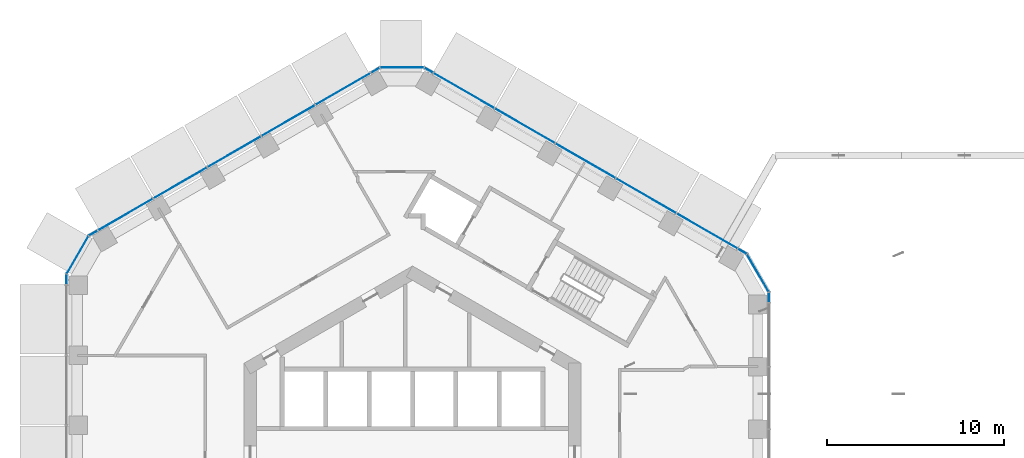
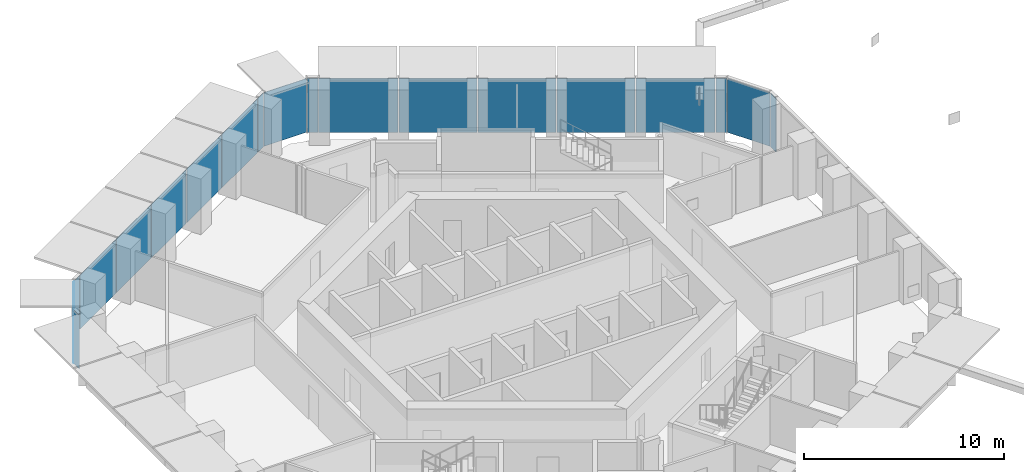
# One storey, part 12 of 21: 19 plates, 5 elements without a shape of their own.
"""IFC4 building model written with IfcOpenShell, lengths in metres."""

from ifc_helpers import new_model, si_unit, direction, frame, origin, origin_2d, place, context, subcontext, project, spatial, rectangle, extrude, material, layer, layer_set, type_object, element, aggregate, save


model = new_model("IFC4")

# Units and contexts
model_context = context("Model", 3, precision=1e-05, world=origin(), true_north=direction((0.0, 1.0)))
body_context = subcontext(model_context, "Body", "Model", "MODEL_VIEW")
ifc_project = project(units=[si_unit("LENGTHUNIT", "METRE"), si_unit("AREAUNIT", "SQUARE_METRE"), si_unit("VOLUMEUNIT", "CUBIC_METRE"), si_unit("PLANEANGLEUNIT", "RADIAN"), si_unit("MASSUNIT", "GRAM", prefix="KILO")], contexts=[model_context])

# Site, building, storey
site_placement = place(None, origin())
site = spatial("IfcSite", under=ifc_project, at=site_placement, CompositionType="ELEMENT")
building_placement = place(site_placement, origin())
building = spatial("IfcBuilding", under=site, at=building_placement, Name="Ayvan Gate Tower", CompositionType="ELEMENT")
storey_placement = place(building_placement, frame((0.0, 0.0, 117.10009765625)))
storey = spatial("IfcBuildingStorey", under=building, at=storey_placement, Name="L31", CompositionType="ELEMENT", Elevation=117.10009765625)

# Curtain wall, plates
ifc_material_1 = material(Name="Bronze anodised aluminium", Category="aluminium")
ifc_layer_1 = layer(ifc_material_1, 0.199951171875)
ifc_layer_set_1 = layer_set([ifc_layer_1], Name="Bronze anodised aluminium")
curtain_wall_type_1 = type_object("IfcCurtainWallType", Name="Stick curtain wall CW-1", PredefinedType="NOTDEFINED", material=ifc_layer_set_1)
curtain_wall_1_placement = place(storey_placement, origin())
curtain_wall_1 = element("IfcCurtainWall", 1, at=curtain_wall_1_placement, inside=storey, type_object=curtain_wall_type_1, Name="Stick curtain wall CW-1 L31", PredefinedType="NOTDEFINED")
ifc_material_2 = material(Name="Clear low-iron laminated glass", Category="glass")
ifc_layer_2 = layer(ifc_material_2, 0.028076171875)
ifc_layer_set_2 = layer_set([ifc_layer_2], Name="Clear low-iron laminated glass")
plate_type_1 = type_object("IfcPlateType", Name="Stick curtain wall CW-1 glass panel", PredefinedType="CURTAIN_PANEL", material=ifc_layer_set_2)
plate_1_placement = place(storey_placement, frame((-3.9091796875, 20.96484375, 0.0), z_axis=(0.0, 0.0, 1.0), x_axis=(-0.866025403784, -0.5, 0.0)))
plate_1 = element("IfcPlate", 2, at=plate_1_placement, type_object=plate_type_1, Name="CW-1 glass panel 1", PredefinedType="CURTAIN_PANEL", context=body_context, shape_type="SweptSolid", body=[
    extrude(rectangle(XDim=3.575927734375, YDim=0.028076171875, at=origin_2d()), origin(), (0.0, 0.0, 1.0), 3.280029296875),
])
plate_2_placement = place(storey_placement, frame((-7.00732421875, 19.176025390625, 0.0), z_axis=(0.0, 0.0, 1.0), x_axis=(-0.866025403784, -0.5, 0.0)))
plate_2 = element("IfcPlate", 3, at=plate_2_placement, type_object=plate_type_1, Name="CW-1 glass panel 2", PredefinedType="CURTAIN_PANEL", context=body_context, shape_type="SweptSolid", body=[
    extrude(rectangle(XDim=3.458984375, YDim=0.028076171875, at=origin_2d()), origin(), (0.0, 0.0, 1.0), 3.280029296875),
])
plate_3_placement = place(storey_placement, frame((-10.055419921875, 17.416259765625, 0.0), z_axis=(0.0, 0.0, 1.0), x_axis=(-0.866025403784, -0.5, 0.0)))
plate_3 = element("IfcPlate", 4, at=plate_3_placement, type_object=plate_type_1, Name="CW-1 glass panel 3", PredefinedType="CURTAIN_PANEL", context=body_context, shape_type="SweptSolid", body=[
    extrude(rectangle(XDim=3.4599609375, YDim=0.028076171875, at=origin_2d()), origin(), (0.0, 0.0, 1.0), 3.280029296875),
])
plate_4_placement = place(storey_placement, frame((-13.103271484375, 15.656494140625, 0.0), z_axis=(0.0, 0.0, 1.0), x_axis=(-0.866025403784, -0.5, 0.0)))
plate_4 = element("IfcPlate", 5, at=plate_4_placement, type_object=plate_type_1, Name="CW-1 glass panel 4", PredefinedType="CURTAIN_PANEL", context=body_context, shape_type="SweptSolid", body=[
    extrude(rectangle(XDim=3.458984375, YDim=0.028076171875, at=origin_2d()), origin(), (0.0, 0.0, 1.0), 3.280029296875),
])
plate_5_placement = place(storey_placement, frame((-16.201416015625, 13.86767578125, 0.0), z_axis=(0.0, 0.0, 1.0), x_axis=(-0.866025403784, -0.5, 0.0)))
plate_5 = element("IfcPlate", 6, at=plate_5_placement, type_object=plate_type_1, Name="CW-1 glass panel 5", PredefinedType="CURTAIN_PANEL", context=body_context, shape_type="SweptSolid", body=[
    extrude(rectangle(XDim=3.575927734375, YDim=0.028076171875, at=origin_2d()), origin(), (0.0, 0.0, 1.0), 3.280029296875),
])
aggregate(curtain_wall_1, [plate_1, plate_2, plate_3, plate_4, plate_5])

curtain_wall_2_placement = place(storey_placement, origin())
curtain_wall_2 = element("IfcCurtainWall", 7, at=curtain_wall_2_placement, inside=storey, type_object=curtain_wall_type_1, Name="Stick curtain wall CW-1 L31", PredefinedType="NOTDEFINED")
plate_6_placement = place(storey_placement, frame((13.180419921875, 14.926513671875, 0.0), z_axis=(0.0, 0.0, 1.0), x_axis=(-0.866025403784, 0.5, 0.0)))
plate_6 = element("IfcPlate", 8, at=plate_6_placement, type_object=plate_type_1, Name="CW-1 glass panel 2", PredefinedType="CURTAIN_PANEL", context=body_context, shape_type="SweptSolid", body=[
    extrude(rectangle(XDim=3.89111328125, YDim=0.028076171875, at=origin_2d()), origin(), (0.0, 0.0, 1.0), 3.280029296875),
])
plate_7_placement = place(storey_placement, frame((9.7587890625, 16.902099609375, 0.0), z_axis=(0.0, 0.0, 1.0), x_axis=(-0.866025403784, 0.5, 0.0)))
plate_7 = element("IfcPlate", 9, at=plate_7_placement, type_object=plate_type_1, Name="CW-1 glass panel 3", PredefinedType="CURTAIN_PANEL", context=body_context, shape_type="SweptSolid", body=[
    extrude(rectangle(XDim=3.89111328125, YDim=0.028076171875, at=origin_2d()), origin(), (0.0, 0.0, 1.0), 3.280029296875),
])
plate_8_placement = place(storey_placement, frame((6.336669921875, 18.8779296875, 0.0), z_axis=(0.0, 0.0, 1.0), x_axis=(-0.866025403784, 0.5, 0.0)))
plate_8 = element("IfcPlate", 10, at=plate_8_placement, type_object=plate_type_1, Name="CW-1 glass panel 4", PredefinedType="CURTAIN_PANEL", context=body_context, shape_type="SweptSolid", body=[
    extrude(rectangle(XDim=3.89208984375, YDim=0.028076171875, at=origin_2d()), origin(), (0.0, 0.0, 1.0), 3.280029296875),
])
plate_9_placement = place(storey_placement, frame((2.88671875, 20.869873046875, 0.0), z_axis=(0.0, 0.0, 1.0), x_axis=(-0.866025403784, 0.5, 0.0)))
plate_9 = element("IfcPlate", 11, at=plate_9_placement, type_object=plate_type_1, Name="CW-1 glass panel 5", PredefinedType="CURTAIN_PANEL", context=body_context, shape_type="SweptSolid", body=[
    extrude(rectangle(XDim=3.955810546875, YDim=0.028076171875, at=origin_2d()), origin(), (0.0, 0.0, 1.0), 3.280029296875),
])
ifc_material_3 = material(Name="Pale anodised aluminium composite panel", Category="aluminium")
ifc_layer_3 = layer(ifc_material_3, 0.028076171875)
ifc_layer_set_3 = layer_set([ifc_layer_3], Name="Pale anodised aluminium composite panel")
plate_type_2 = type_object("IfcPlateType", Name="Stick curtain wall CW-1 solid panel", PredefinedType="CURTAIN_PANEL", material=ifc_layer_set_3)
plate_10_placement = place(storey_placement, frame((16.63037109375, 12.934814453125, 0.0), z_axis=(0.0, 0.0, 1.0), x_axis=(-0.866025403784, 0.5, 0.0)))
plate_10 = element("IfcPlate", 12, at=plate_10_placement, type_object=plate_type_2, Name="CW-1 solid panel 1", PredefinedType="CURTAIN_PANEL", context=body_context, shape_type="SweptSolid", body=[
    extrude(rectangle(XDim=3.9560546875, YDim=0.028076171875, at=origin_2d()), origin(), (0.0, 0.0, 1.0), 3.280029296875),
])
aggregate(curtain_wall_2, [plate_10, plate_6, plate_7, plate_8, plate_9])

ifc_layer_4 = layer(ifc_material_1, 0.199951171875)
ifc_layer_set_4 = layer_set([ifc_layer_4], Name="Bronze anodised aluminium")
curtain_wall_type_2 = type_object("IfcCurtainWallType", Name="Stick curtain wall CW-6", PredefinedType="NOTDEFINED", material=ifc_layer_set_4)
curtain_wall_3_placement = place(storey_placement, origin())
curtain_wall_3 = element("IfcCurtainWall", 13, at=curtain_wall_3_placement, inside=storey, type_object=curtain_wall_type_2, Name="Stick curtain wall CW-6 L31", PredefinedType="NOTDEFINED")
ifc_layer_5 = layer(ifc_material_2, 0.028076171875)
ifc_layer_set_5 = layer_set([ifc_layer_5], Name="Clear low-iron laminated glass")
plate_type_3 = type_object("IfcPlateType", Name="Stick curtain wall CW-6 glass panel", PredefinedType="CURTAIN_PANEL", material=ifc_layer_set_5)
plate_11_placement = place(storey_placement, frame((-18.013916015625, 12.8212890625, 0.0), z_axis=(0.0, 0.0, 1.0), x_axis=(-0.866025403784, -0.5, 0.0)))
plate_11 = element("IfcPlate", 14, at=plate_11_placement, type_object=plate_type_3, Name="CW-6 glass panel 1", PredefinedType="CURTAIN_PANEL", context=body_context, shape_type="SweptSolid", body=[
    extrude(rectangle(XDim=0.550048828125, YDim=0.028076171875, at=origin_2d()), origin(), (0.0, 0.0, 1.0), 3.280029296875),
])
plate_12_placement = place(storey_placement, frame((-18.8955078125, 11.594482421875, 0.0), z_axis=(0.0, 0.0, 1.0), x_axis=(-0.5, -0.866025403784, 0.0)))
plate_12 = element("IfcPlate", 15, at=plate_12_placement, type_object=plate_type_3, Name="CW-6 glass panel 2", PredefinedType="CURTAIN_PANEL", context=body_context, shape_type="SweptSolid", body=[
    extrude(rectangle(XDim=2.4365234375, YDim=0.028076171875, at=origin_2d()), origin(), (0.0, 0.0, 1.0), 3.280029296875),
])
plate_13_placement = place(storey_placement, frame((-19.51708984375, 10.2177734375, 0.0), z_axis=(0.0, 0.0, 1.0), x_axis=(0.0, -1.0, 0.0)))
plate_13 = element("IfcPlate", 16, at=plate_13_placement, type_object=plate_type_3, Name="CW-6 glass panel 3", PredefinedType="CURTAIN_PANEL", context=body_context, shape_type="SweptSolid", body=[
    extrude(rectangle(XDim=0.550048828125, YDim=0.028076171875, at=origin_2d()), origin(), (0.0, 0.0, 1.0), 3.280029296875),
])
aggregate(curtain_wall_3, [plate_11, plate_12, plate_13])

curtain_wall_4_placement = place(storey_placement, origin())
curtain_wall_4 = element("IfcCurtainWall", 17, at=curtain_wall_4_placement, inside=storey, type_object=curtain_wall_type_2, Name="Stick curtain wall CW-6 L31", PredefinedType="NOTDEFINED")
plate_14_placement = place(storey_placement, frame((20.110595703125, 9.18994140625, 0.0), z_axis=(0.0, 0.0, 1.0), x_axis=(0.0, 1.0, 0.0)))
plate_14 = element("IfcPlate", 18, at=plate_14_placement, type_object=plate_type_3, Name="CW-6 glass panel 1", PredefinedType="CURTAIN_PANEL", context=body_context, shape_type="SweptSolid", body=[
    extrude(rectangle(XDim=0.550048828125, YDim=0.028076171875, at=origin_2d()), origin(), (0.0, 0.0, 1.0), 3.280029296875),
])
plate_15_placement = place(storey_placement, frame((19.489013671875, 10.566650390625, 0.0), z_axis=(0.0, 0.0, 1.0), x_axis=(-0.5, 0.866025403784, 0.0)))
plate_15 = element("IfcPlate", 19, at=plate_15_placement, type_object=plate_type_3, Name="CW-6 glass panel 2", PredefinedType="CURTAIN_PANEL", context=body_context, shape_type="SweptSolid", body=[
    extrude(rectangle(XDim=2.4365234375, YDim=0.028076171875, at=origin_2d()), origin(), (0.0, 0.0, 1.0), 3.280029296875),
])
plate_16_placement = place(storey_placement, frame((18.607421875, 11.79345703125, 0.0), z_axis=(0.0, 0.0, 1.0), x_axis=(-0.866025403784, 0.5, 0.0)))
plate_16 = element("IfcPlate", 20, at=plate_16_placement, type_object=plate_type_3, Name="CW-6 glass panel 3", PredefinedType="CURTAIN_PANEL", context=body_context, shape_type="SweptSolid", body=[
    extrude(rectangle(XDim=0.550048828125, YDim=0.028076171875, at=origin_2d()), origin(), (0.0, 0.0, 1.0), 3.280029296875),
])
aggregate(curtain_wall_4, [plate_14, plate_15, plate_16])

curtain_wall_5_placement = place(storey_placement, origin())
curtain_wall_5 = element("IfcCurtainWall", 21, at=curtain_wall_5_placement, inside=storey, type_object=curtain_wall_type_2, Name="Stick curtain wall CW-6 L31", PredefinedType="NOTDEFINED")
plate_17_placement = place(storey_placement, frame((0.90966796875, 22.01123046875, 0.0), z_axis=(0.0, 0.0, 1.0), x_axis=(-0.866025403784, 0.5, 0.0)))
plate_17 = element("IfcPlate", 22, at=plate_17_placement, type_object=plate_type_3, Name="CW-6 glass panel 1", PredefinedType="CURTAIN_PANEL", context=body_context, shape_type="SweptSolid", body=[
    extrude(rectangle(XDim=0.550048828125, YDim=0.028076171875, at=origin_2d()), origin(), (0.0, 0.0, 1.0), 3.280029296875),
])
plate_18_placement = place(storey_placement, frame((-0.593505859375, 22.1611328125, 0.0), z_axis=(0.0, 0.0, 1.0), x_axis=(-1.0, 0.0, 0.0)))
plate_18 = element("IfcPlate", 23, at=plate_18_placement, type_object=plate_type_3, Name="CW-6 glass panel 2", PredefinedType="CURTAIN_PANEL", context=body_context, shape_type="SweptSolid", body=[
    extrude(rectangle(XDim=2.4365234375, YDim=0.028076171875, at=origin_2d()), origin(), (0.0, 0.0, 1.0), 3.280029296875),
])
plate_19_placement = place(storey_placement, frame((-2.096435546875, 22.01123046875, 0.0), z_axis=(0.0, 0.0, 1.0), x_axis=(-0.866025403784, -0.5, 0.0)))
plate_19 = element("IfcPlate", 24, at=plate_19_placement, type_object=plate_type_3, Name="CW-6 glass panel 3", PredefinedType="CURTAIN_PANEL", context=body_context, shape_type="SweptSolid", body=[
    extrude(rectangle(XDim=0.550048828125, YDim=0.028076171875, at=origin_2d()), origin(), (0.0, 0.0, 1.0), 3.280029296875),
])
aggregate(curtain_wall_5, [plate_17, plate_18, plate_19])

save(model, "model.ifc")
